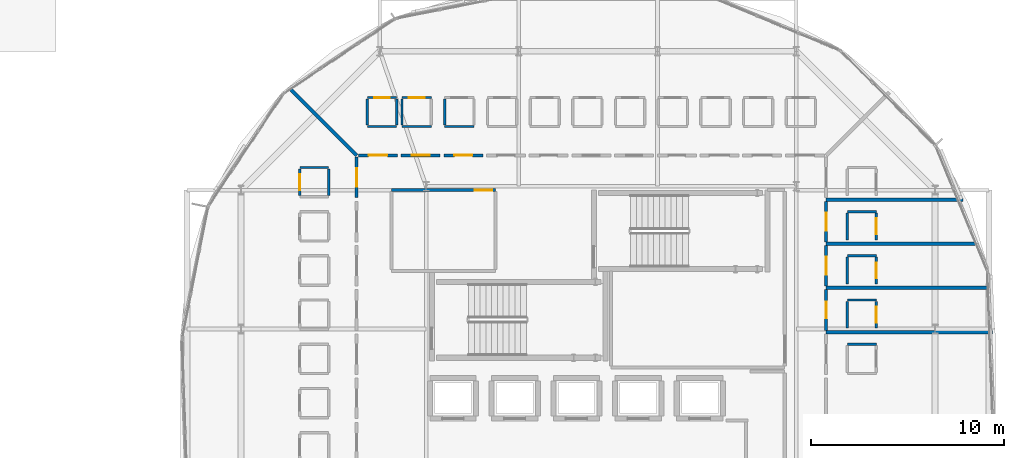
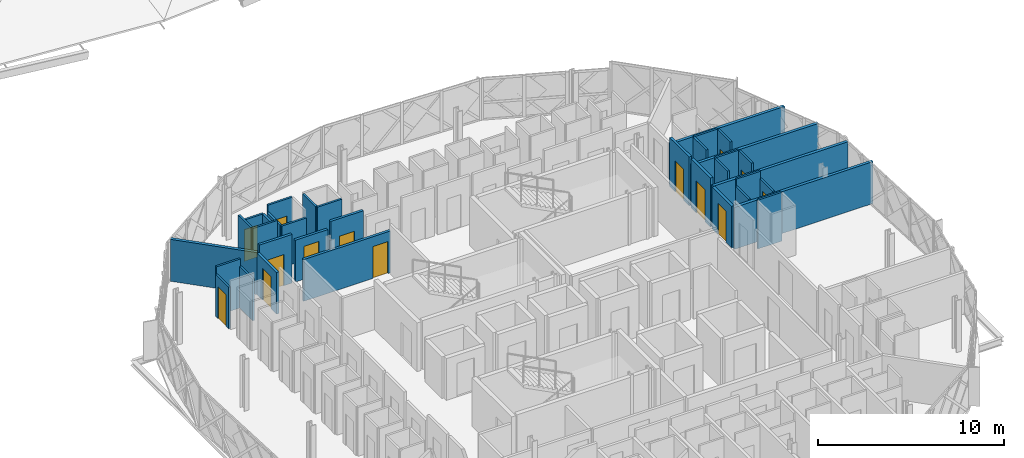
# One storey, part 33 of 40: 35 walls, 14 doors, 14 openings.
"""IFC4 building model written with IfcOpenShell, lengths in metres."""

from ifc_helpers import new_model, si_unit, direction, frame, frame_2d, origin, place, context, subcontext, project, spatial, rectangle, extrude, material, layer, layer_set, type_object, element, fill, save


model = new_model("IFC4")

# Units and contexts
model_context = context("Model", 3, precision=1e-05, world=origin(), true_north=direction((0.0, 1.0)))
body_context = subcontext(model_context, "Body", "Model", "MODEL_VIEW")
ifc_project = project(units=[si_unit("LENGTHUNIT", "METRE"), si_unit("AREAUNIT", "SQUARE_METRE"), si_unit("VOLUMEUNIT", "CUBIC_METRE"), si_unit("PLANEANGLEUNIT", "RADIAN"), si_unit("MASSUNIT", "GRAM", prefix="KILO")], contexts=[model_context])

# Site, building, storey
site_placement = place(None, origin())
site = spatial("IfcSite", under=ifc_project, at=site_placement, CompositionType="ELEMENT")
building_placement = place(site_placement, origin())
building = spatial("IfcBuilding", under=site, at=building_placement, Name="Zevrakil Square Congress Hotel", CompositionType="ELEMENT")
storey_placement = place(building_placement, frame((0.0, 0.0, 18.10009765625)))
storey = spatial("IfcBuildingStorey", under=building, at=storey_placement, Name="L05", CompositionType="ELEMENT", Elevation=18.10009765625)

# Wall, opening, door
ifc_material_1 = material(Name="Gypsum Acoustic Stud Partition")
ifc_layer_1 = layer(ifc_material_1, 0.159912109375)
ifc_layer_set_1 = layer_set([ifc_layer_1], Name="Gypsum Acoustic Stud Partition")
wall_type_1 = type_object("IfcWallType", Name="WAL-CORR-160", PredefinedType="PARTITIONING", material=ifc_layer_set_1)
wall_1_placement = place(storey_placement, frame((135.0, 38.39990234375, 0.0), z_axis=(0.0, 0.0, 1.0), x_axis=(1.0, 0.0, 0.0)))
wall_1 = element("IfcWall", 1, at=wall_1_placement, inside=storey, type_object=wall_type_1, Name="L05 interior partition PW-L05-0464", PredefinedType="PARTITIONING", context=body_context, shape_type="SweptSolid", body=[
    extrude(rectangle(XDim=5.39990234375, YDim=0.159912109375, at=frame_2d((2.699951171875, 0.0))), origin(), (0.0, 0.0, 1.0), 2.744873046875),
])
opening_1_placement = place(wall_1_placement, frame((4.320068359375, 0.0, 0.0)))
opening_1 = element("IfcOpeningElement", 2, at=opening_1_placement, cuts=wall_1, Name="Opening ID-07", PredefinedType="OPENING", context=body_context, shape_type="SweptSolid", body=[
    extrude(rectangle(XDim=0.919921875, YDim=2.10009765625, at=frame_2d((0.4599609375, 1.050048828125))), frame((0.0, 0.08984375, 0.0), z_axis=(0.0, -1.0, 0.0), x_axis=(1.0, 0.0, 0.0)), (0.0, 0.0, 1.0), 0.179931640625),
])
ifc_material_2 = material(Name="Accessible Restroom Door")
door_type_1 = type_object("IfcDoorType", Name="DOR-WC-092", OperationType="NOTDEFINED", PredefinedType="DOOR", material=ifc_material_2)
door_1_placement = place(opening_1_placement, origin())
door_1 = element("IfcDoor", 3, at=door_1_placement, inside=storey, type_object=door_type_1, Name="L05 interior door 188", OperationType="SINGLE_SWING_RIGHT", OverallHeight=2.10009765625, OverallWidth=0.919921875, PredefinedType="DOOR", context=body_context, shape_type="SweptSolid", body=[
    extrude(rectangle(XDim=0.919921875, YDim=2.10009765625, at=frame_2d((0.4599609375, 1.050048828125))), frame((0.0, 0.02490234375, 0.0), z_axis=(0.0, -1.0, 0.0), x_axis=(1.0, 0.0, 0.0)), (0.0, 0.0, 1.0), 0.050048828125),
])
fill(opening_1, door_1)

wall_2_placement = place(storey_placement, frame((157.550048828125, 31.13134765625, 0.0), z_axis=(0.0, 0.0, 1.0), x_axis=(0.0, 1.0, 0.0)))
wall_2 = element("IfcWall", 4, at=wall_2_placement, inside=storey, type_object=wall_type_1, Name="L05 interior partition PW-L05-0556", PredefinedType="PARTITIONING", context=body_context, shape_type="SweptSolid", body=[
    extrude(rectangle(XDim=2.10107421875, YDim=0.159912109375, at=frame_2d((1.050537109375, 0.0))), origin(), (0.0, 0.0, 1.0), 2.744873046875),
])
opening_2_placement = place(wall_2_placement, frame((0.610595703125, 0.0, 0.0)))
opening_2 = element("IfcOpeningElement", 5, at=opening_2_placement, cuts=wall_2, Name="Opening ID-G02", PredefinedType="OPENING", context=body_context, shape_type="SweptSolid", body=[
    extrude(rectangle(XDim=0.8798828125, YDim=2.050048828125, at=frame_2d((0.43994140625, 1.02490234375))), frame((0.0, 0.08984375, 0.0), z_axis=(0.0, -1.0, 0.0), x_axis=(1.0, 0.0, 0.0)), (0.0, 0.0, 1.0), 0.179931640625),
])
ifc_material_3 = material(Name="Acoustic Timber Fire Door", Category="wood")
door_type_2 = type_object("IfcDoorType", Name="DOR-INT-G02", OperationType="NOTDEFINED", PredefinedType="DOOR", material=ifc_material_3)
door_2_placement = place(opening_2_placement, origin())
door_2 = element("IfcDoor", 6, at=door_2_placement, inside=storey, type_object=door_type_2, Name="L05 interior door 222", OperationType="SINGLE_SWING_RIGHT", OverallHeight=2.050048828125, OverallWidth=0.8798828125, PredefinedType="DOOR", context=body_context, shape_type="SweptSolid", body=[
    extrude(rectangle(XDim=0.8798828125, YDim=2.050048828125, at=frame_2d((0.43994140625, 1.02490234375))), frame((0.0, 0.02490234375, 0.0), z_axis=(0.0, -1.0, 0.0), x_axis=(1.0, 0.0, 0.0)), (0.0, 0.0, 1.0), 0.050048828125),
])
fill(opening_2, door_2)

wall_3_placement = place(storey_placement, frame((157.550048828125, 33.42236328125, 0.0), z_axis=(0.0, 0.0, 1.0), x_axis=(0.0, 1.0, 0.0)))
wall_3 = element("IfcWall", 7, at=wall_3_placement, inside=storey, type_object=wall_type_1, Name="L05 interior partition PW-L05-0561", PredefinedType="PARTITIONING", context=body_context, shape_type="SweptSolid", body=[
    extrude(rectangle(XDim=2.100830078125, YDim=0.159912109375, at=frame_2d((1.05029296875, 0.0))), origin(), (0.0, 0.0, 1.0), 3.2099609375),
])
opening_3_placement = place(wall_3_placement, frame((0.576416015625, 0.0, 0.0)))
opening_3 = element("IfcOpeningElement", 8, at=opening_3_placement, cuts=wall_3, Name="Opening ID-H09", PredefinedType="OPENING", context=body_context, shape_type="SweptSolid", body=[
    extrude(rectangle(XDim=0.947998046875, YDim=2.10009765625, at=frame_2d((0.47412109375, 1.050048828125))), frame((0.0, 0.08984375, 0.0), z_axis=(0.0, -1.0, 0.0), x_axis=(1.0, 0.0, 0.0)), (0.0, 0.0, 1.0), 0.179931640625),
])
ifc_material_4 = material(Name="Acoustic Timber Fire Door", Category="wood")
door_type_3 = type_object("IfcDoorType", Name="DOR-INT-H09", OperationType="NOTDEFINED", PredefinedType="DOOR", material=ifc_material_4)
door_3_placement = place(opening_3_placement, origin())
door_3 = element("IfcDoor", 9, at=door_3_placement, inside=storey, type_object=door_type_3, Name="L05 interior door 224", OperationType="SINGLE_SWING_RIGHT", OverallHeight=2.10009765625, OverallWidth=0.947998046875, PredefinedType="DOOR", context=body_context, shape_type="SweptSolid", body=[
    extrude(rectangle(XDim=0.947998046875, YDim=2.10009765625, at=frame_2d((0.47412109375, 1.050048828125))), frame((0.0, 0.02490234375, 0.0), z_axis=(0.0, -1.0, 0.0), x_axis=(1.0, 0.0, 0.0)), (0.0, 0.0, 1.0), 0.050048828125),
])
fill(opening_3, door_3)

wall_4_placement = place(storey_placement, frame((157.550048828125, 35.713134765625, 0.0), z_axis=(0.0, 0.0, 1.0), x_axis=(0.0, 1.0, 0.0)))
wall_4 = element("IfcWall", 10, at=wall_4_placement, inside=storey, type_object=wall_type_1, Name="L05 interior partition PW-L05-0566", PredefinedType="PARTITIONING", context=body_context, shape_type="SweptSolid", body=[
    extrude(rectangle(XDim=2.10107421875, YDim=0.159912109375, at=frame_2d((1.050537109375, 0.0))), origin(), (0.0, 0.0, 1.0), 3.2099609375),
])
opening_4_placement = place(wall_4_placement, frame((0.58544921875, 0.0, 0.0)))
opening_4 = element("IfcOpeningElement", 11, at=opening_4_placement, cuts=wall_4, Name="Opening ID-G04", PredefinedType="OPENING", context=body_context, shape_type="SweptSolid", body=[
    extrude(rectangle(XDim=0.929931640625, YDim=2.050048828125, at=frame_2d((0.46484375, 1.02490234375))), frame((0.0, 0.08984375, 0.0), z_axis=(0.0, -1.0, 0.0), x_axis=(1.0, 0.0, 0.0)), (0.0, 0.0, 1.0), 0.179931640625),
])
ifc_material_5 = material(Name="Acoustic Timber Fire Door", Category="wood")
door_type_4 = type_object("IfcDoorType", Name="DOR-INT-G04", OperationType="NOTDEFINED", PredefinedType="DOOR", material=ifc_material_5)
door_4_placement = place(opening_4_placement, origin())
door_4 = element("IfcDoor", 12, at=door_4_placement, inside=storey, type_object=door_type_4, Name="L05 interior door 226", OperationType="SINGLE_SWING_RIGHT", OverallHeight=2.050048828125, OverallWidth=0.929931640625, PredefinedType="DOOR", context=body_context, shape_type="SweptSolid", body=[
    extrude(rectangle(XDim=0.929931640625, YDim=2.050048828125, at=frame_2d((0.46484375, 1.02490234375))), frame((0.0, 0.02490234375, 0.0), z_axis=(0.0, -1.0, 0.0), x_axis=(1.0, 0.0, 0.0)), (0.0, 0.0, 1.0), 0.050048828125),
])
fill(opening_4, door_4)

wall_5_placement = place(storey_placement, frame((137.722412109375, 40.199951171875, 0.0), z_axis=(0.0, 0.0, 1.0), x_axis=(1.0, 0.0, 0.0)))
wall_5 = element("IfcWall", 13, at=wall_5_placement, inside=storey, type_object=wall_type_1, Name="L05 interior partition PW-L05-0616", PredefinedType="PARTITIONING", context=body_context, shape_type="SweptSolid", body=[
    extrude(rectangle(XDim=2.0234375, YDim=0.159912109375, at=frame_2d((1.01171875, 0.0))), origin(), (0.0, 0.0, 1.0), 3.2099609375),
])
opening_5_placement = place(wall_5_placement, frame((0.546875, 0.0, 0.0)))
opening_5 = element("IfcOpeningElement", 14, at=opening_5_placement, cuts=wall_5, Name="Opening ID-G04", PredefinedType="OPENING", context=body_context, shape_type="SweptSolid", body=[
    extrude(rectangle(XDim=0.929931640625, YDim=2.050048828125, at=frame_2d((0.46484375, 1.02490234375))), frame((0.0, 0.08984375, 0.0), z_axis=(0.0, -1.0, 0.0), x_axis=(1.0, 0.0, 0.0)), (0.0, 0.0, 1.0), 0.179931640625),
])
door_5_placement = place(opening_5_placement, origin())
door_5 = element("IfcDoor", 15, at=door_5_placement, inside=storey, type_object=door_type_4, Name="L05 interior door 246", OperationType="SINGLE_SWING_RIGHT", OverallHeight=2.050048828125, OverallWidth=0.929931640625, PredefinedType="DOOR", context=body_context, shape_type="SweptSolid", body=[
    extrude(rectangle(XDim=0.929931640625, YDim=2.050048828125, at=frame_2d((0.46484375, 1.02490234375))), frame((0.0, 0.02490234375, 0.0), z_axis=(0.0, -1.0, 0.0), x_axis=(1.0, 0.0, 0.0)), (0.0, 0.0, 1.0), 0.050048828125),
])
fill(opening_5, door_5)

wall_6_placement = place(storey_placement, frame((135.5087890625, 40.199951171875, 0.0), z_axis=(0.0, 0.0, 1.0), x_axis=(1.0, 0.0, 0.0)))
wall_6 = element("IfcWall", 16, at=wall_6_placement, inside=storey, type_object=wall_type_1, Name="L05 interior partition PW-L05-0621", PredefinedType="PARTITIONING", context=body_context, shape_type="SweptSolid", body=[
    extrude(rectangle(XDim=2.0234375, YDim=0.159912109375, at=frame_2d((1.01171875, 0.0))), origin(), (0.0, 0.0, 1.0), 2.744873046875),
])
opening_6_placement = place(wall_6_placement, frame((0.5498046875, 0.0, 0.0)))
opening_6 = element("IfcOpeningElement", 17, at=opening_6_placement, cuts=wall_6, Name="Opening ID-H07", PredefinedType="OPENING", context=body_context, shape_type="SweptSolid", body=[
    extrude(rectangle(XDim=0.924072265625, YDim=2.159912109375, at=frame_2d((0.4619140625, 1.080078125))), frame((0.0, 0.08984375, 0.0), z_axis=(0.0, -1.0, 0.0), x_axis=(1.0, 0.0, 0.0)), (0.0, 0.0, 1.0), 0.179931640625),
])
ifc_material_6 = material(Name="Acoustic Timber Fire Door", Category="wood")
door_type_5 = type_object("IfcDoorType", Name="DOR-INT-H07", OperationType="NOTDEFINED", PredefinedType="DOOR", material=ifc_material_6)
door_6_placement = place(opening_6_placement, origin())
door_6 = element("IfcDoor", 18, at=door_6_placement, inside=storey, type_object=door_type_5, Name="L05 interior door 248", OperationType="SINGLE_SWING_RIGHT", OverallHeight=2.159912109375, OverallWidth=0.924072265625, PredefinedType="DOOR", context=body_context, shape_type="SweptSolid", body=[
    extrude(rectangle(XDim=0.924072265625, YDim=2.159912109375, at=frame_2d((0.4619140625, 1.080078125))), frame((0.0, 0.02490234375, 0.0), z_axis=(0.0, -1.0, 0.0), x_axis=(1.0, 0.0, 0.0)), (0.0, 0.0, 1.0), 0.050048828125),
])
fill(opening_6, door_6)

wall_7_placement = place(storey_placement, frame((133.294921875, 40.199951171875, 0.0), z_axis=(0.0, 0.0, 1.0), x_axis=(1.0, 0.0, 0.0)))
wall_7 = element("IfcWall", 19, at=wall_7_placement, inside=storey, type_object=wall_type_1, Name="L05 interior partition PW-L05-0626", PredefinedType="PARTITIONING", context=body_context, shape_type="SweptSolid", body=[
    extrude(rectangle(XDim=2.023681640625, YDim=0.159912109375, at=frame_2d((1.01171875, 0.0))), origin(), (0.0, 0.0, 1.0), 3.2099609375),
])
opening_7_placement = place(wall_7_placement, frame((0.521728515625, 0.0, 0.0)))
opening_7 = element("IfcOpeningElement", 20, at=opening_7_placement, cuts=wall_7, Name="Opening ID-G06", PredefinedType="OPENING", context=body_context, shape_type="SweptSolid", body=[
    extrude(rectangle(XDim=0.97998046875, YDim=2.050048828125, at=frame_2d((0.489990234375, 1.02490234375))), frame((0.0, 0.08984375, 0.0), z_axis=(0.0, -1.0, 0.0), x_axis=(1.0, 0.0, 0.0)), (0.0, 0.0, 1.0), 0.179931640625),
])
ifc_material_7 = material(Name="Acoustic Timber Fire Door", Category="wood")
door_type_6 = type_object("IfcDoorType", Name="DOR-INT-G06", OperationType="NOTDEFINED", PredefinedType="DOOR", material=ifc_material_7)
door_7_placement = place(opening_7_placement, origin())
door_7 = element("IfcDoor", 21, at=door_7_placement, inside=storey, type_object=door_type_6, Name="L05 interior door 250", OperationType="SINGLE_SWING_RIGHT", OverallHeight=2.050048828125, OverallWidth=0.97998046875, PredefinedType="DOOR", context=body_context, shape_type="SweptSolid", body=[
    extrude(rectangle(XDim=0.97998046875, YDim=2.050048828125, at=frame_2d((0.489990234375, 1.02490234375))), frame((0.0, 0.02490234375, 0.0), z_axis=(0.0, -1.0, 0.0), x_axis=(1.0, 0.0, 0.0)), (0.0, 0.0, 1.0), 0.050048828125),
])
fill(opening_7, door_7)

wall_8_placement = place(storey_placement, frame((133.199951171875, 38.004150390625, 0.0), z_axis=(0.0, 0.0, 1.0), x_axis=(0.0, 1.0, 0.0)))
wall_8 = element("IfcWall", 22, at=wall_8_placement, inside=storey, type_object=wall_type_1, Name="L05 interior partition PW-L05-0632", PredefinedType="PARTITIONING", context=body_context, shape_type="SweptSolid", body=[
    extrude(rectangle(XDim=2.100830078125, YDim=0.159912109375, at=frame_2d((1.05029296875, 0.0))), origin(), (0.0, 0.0, 1.0), 2.744873046875),
])
opening_8_placement = place(wall_8_placement, frame((0.576416015625, 0.0, 0.0)))
opening_8 = element("IfcOpeningElement", 23, at=opening_8_placement, cuts=wall_8, Name="Opening ID-H09", PredefinedType="OPENING", context=body_context, shape_type="SweptSolid", body=[
    extrude(rectangle(XDim=0.947998046875, YDim=2.10009765625, at=frame_2d((0.47412109375, 1.050048828125))), frame((0.0, 0.08984375, 0.0), z_axis=(0.0, -1.0, 0.0), x_axis=(1.0, 0.0, 0.0)), (0.0, 0.0, 1.0), 0.179931640625),
])
door_8_placement = place(opening_8_placement, origin())
door_8 = element("IfcDoor", 24, at=door_8_placement, inside=storey, type_object=door_type_3, Name="L05 interior door 252", OperationType="SINGLE_SWING_RIGHT", OverallHeight=2.10009765625, OverallWidth=0.947998046875, PredefinedType="DOOR", context=body_context, shape_type="SweptSolid", body=[
    extrude(rectangle(XDim=0.947998046875, YDim=2.10009765625, at=frame_2d((0.47412109375, 1.050048828125))), frame((0.0, 0.02490234375, 0.0), z_axis=(0.0, -1.0, 0.0), x_axis=(1.0, 0.0, 0.0)), (0.0, 0.0, 1.0), 0.050048828125),
])
fill(opening_8, door_8)

# Walls
ifc_material_8 = material(Name="Moisture-Resistant Gypsum Partition")
ifc_layer_2 = layer(ifc_material_8, 0.1201171875)
ifc_layer_set_2 = layer_set([ifc_layer_2], Name="Moisture-Resistant Gypsum Partition")
wall_type_2 = type_object("IfcWallType", Name="WAL-ENS-120", PredefinedType="PARTITIONING", material=ifc_layer_set_2)
for number, where, z_axis, x_axis, name in (
    (25, (158.64990234375, 30.405517578125, 0.0), (0.0, 0.0, 1.0), (1.0, 0.0, 0.0), "L05 interior partition PW-L05-0552"),
    (26, (158.64990234375, 32.6962890625, 0.0), (0.0, 0.0, 1.0), (1.0, 0.0, 0.0), "L05 interior partition PW-L05-0557"),
):
    element("IfcWall", number, at=place(storey_placement, frame(where, z_axis=z_axis, x_axis=x_axis)), inside=storey, type_object=wall_type_2, Name=name, PredefinedType="PARTITIONING", context=body_context, shape_type="SweptSolid", body=[
        extrude(rectangle(XDim=1.5, YDim=0.1201171875, at=frame_2d((0.75, 0.0))), origin(), (0.0, 0.0, 1.0), 3.2099609375),
    ])
wall_9_placement = place(storey_placement, frame((158.64990234375, 31.241455078125, 0.0), z_axis=(0.0, 0.0, 1.0), x_axis=(0.0, 1.0, 0.0)))
element("IfcWall", 27, at=wall_9_placement, inside=storey, type_object=wall_type_2, Name="L05 interior partition PW-L05-0558", PredefinedType="PARTITIONING", context=body_context, shape_type="SweptSolid", body=[
    extrude(rectangle(XDim=1.389892578125, YDim=0.1201171875, at=frame_2d((0.69482421875, 0.0))), origin(), (0.0, 0.0, 1.0), 2.744873046875),
])

# Wall, opening, door
wall_10_placement = place(storey_placement, frame((160.14990234375, 31.241455078125, 0.0), z_axis=(0.0, 0.0, 1.0), x_axis=(0.0, 1.0, 0.0)))
wall_10 = element("IfcWall", 28, at=wall_10_placement, inside=storey, type_object=wall_type_2, Name="L05 interior partition PW-L05-0559", PredefinedType="PARTITIONING", context=body_context, shape_type="SweptSolid", body=[
    extrude(rectangle(XDim=1.389892578125, YDim=0.1201171875, at=frame_2d((0.69482421875, 0.0))), origin(), (0.0, 0.0, 1.0), 2.744873046875),
])
opening_9_placement = place(wall_10_placement, frame((0.284912109375, 0.0, 0.0)))
opening_9 = element("IfcOpeningElement", 29, at=opening_9_placement, cuts=wall_10, Name="Opening ID-11", PredefinedType="OPENING", context=body_context, shape_type="SweptSolid", body=[
    extrude(rectangle(XDim=0.820068359375, YDim=2.080078125, at=frame_2d((0.41015625, 1.0400390625))), frame((0.0, 0.070068359375, 0.0), z_axis=(0.0, -1.0, 0.0), x_axis=(1.0, 0.0, 0.0)), (0.0, 0.0, 1.0), 0.14013671875),
])
ifc_material_9 = material(Name="Acoustic Timber Door", Category="wood")
door_type_7 = type_object("IfcDoorType", Name="DOR-INT-V01", OperationType="NOTDEFINED", PredefinedType="DOOR", material=ifc_material_9)
door_9_placement = place(opening_9_placement, origin())
door_9 = element("IfcDoor", 30, at=door_9_placement, inside=storey, type_object=door_type_7, Name="L05 interior door 223", OperationType="SINGLE_SWING_LEFT", OverallHeight=2.080078125, OverallWidth=0.820068359375, PredefinedType="DOOR", context=body_context, shape_type="SweptSolid", body=[
    extrude(rectangle(XDim=0.820068359375, YDim=2.080078125, at=frame_2d((0.41015625, 1.0400390625))), frame((0.0, 0.02490234375, 0.0), z_axis=(0.0, -1.0, 0.0), x_axis=(1.0, 0.0, 0.0)), (0.0, 0.0, 1.0), 0.050048828125),
])
fill(opening_9, door_9)

# Walls
wall_11_placement = place(storey_placement, frame((158.64990234375, 34.9873046875, 0.0), z_axis=(0.0, 0.0, 1.0), x_axis=(1.0, 0.0, 0.0)))
element("IfcWall", 31, at=wall_11_placement, inside=storey, type_object=wall_type_2, Name="L05 interior partition PW-L05-0562", PredefinedType="PARTITIONING", context=body_context, shape_type="SweptSolid", body=[
    extrude(rectangle(XDim=1.5, YDim=0.1201171875, at=frame_2d((0.75, 0.0))), origin(), (0.0, 0.0, 1.0), 3.2099609375),
])
wall_12_placement = place(storey_placement, frame((158.64990234375, 33.5322265625, 0.0), z_axis=(0.0, 0.0, 1.0), x_axis=(0.0, 1.0, 0.0)))
element("IfcWall", 32, at=wall_12_placement, inside=storey, type_object=wall_type_2, Name="L05 interior partition PW-L05-0563", PredefinedType="PARTITIONING", context=body_context, shape_type="SweptSolid", body=[
    extrude(rectangle(XDim=1.39013671875, YDim=0.1201171875, at=frame_2d((0.695068359375, 0.0))), origin(), (0.0, 0.0, 1.0), 3.2099609375),
])

# Wall, opening, door
wall_13_placement = place(storey_placement, frame((160.14990234375, 33.5322265625, 0.0), z_axis=(0.0, 0.0, 1.0), x_axis=(0.0, 1.0, 0.0)))
wall_13 = element("IfcWall", 33, at=wall_13_placement, inside=storey, type_object=wall_type_2, Name="L05 interior partition PW-L05-0564", PredefinedType="PARTITIONING", context=body_context, shape_type="SweptSolid", body=[
    extrude(rectangle(XDim=1.39013671875, YDim=0.1201171875, at=frame_2d((0.695068359375, 0.0))), origin(), (0.0, 0.0, 1.0), 3.2099609375),
])
opening_10_placement = place(wall_13_placement, frame((0.284912109375, 0.0, 0.0)))
opening_10 = element("IfcOpeningElement", 34, at=opening_10_placement, cuts=wall_13, Name="Opening ID-11", PredefinedType="OPENING", context=body_context, shape_type="SweptSolid", body=[
    extrude(rectangle(XDim=0.820068359375, YDim=2.080078125, at=frame_2d((0.41015625, 1.0400390625))), frame((0.0, 0.070068359375, 0.0), z_axis=(0.0, -1.0, 0.0), x_axis=(1.0, 0.0, 0.0)), (0.0, 0.0, 1.0), 0.14013671875),
])
door_10_placement = place(opening_10_placement, origin())
door_10 = element("IfcDoor", 35, at=door_10_placement, inside=storey, type_object=door_type_7, Name="L05 interior door 225", OperationType="SINGLE_SWING_LEFT", OverallHeight=2.080078125, OverallWidth=0.820068359375, PredefinedType="DOOR", context=body_context, shape_type="SweptSolid", body=[
    extrude(rectangle(XDim=0.820068359375, YDim=2.080078125, at=frame_2d((0.41015625, 1.0400390625))), frame((0.0, 0.02490234375, 0.0), z_axis=(0.0, -1.0, 0.0), x_axis=(1.0, 0.0, 0.0)), (0.0, 0.0, 1.0), 0.050048828125),
])
fill(opening_10, door_10)

# Walls
wall_14_placement = place(storey_placement, frame((158.64990234375, 37.2783203125, 0.0), z_axis=(0.0, 0.0, 1.0), x_axis=(1.0, 0.0, 0.0)))
element("IfcWall", 36, at=wall_14_placement, inside=storey, type_object=wall_type_2, Name="L05 interior partition PW-L05-0567", PredefinedType="PARTITIONING", context=body_context, shape_type="SweptSolid", body=[
    extrude(rectangle(XDim=1.5, YDim=0.1201171875, at=frame_2d((0.75, 0.0))), origin(), (0.0, 0.0, 1.0), 3.2099609375),
])
wall_15_placement = place(storey_placement, frame((158.64990234375, 35.8232421875, 0.0), z_axis=(0.0, 0.0, 1.0), x_axis=(0.0, 1.0, 0.0)))
element("IfcWall", 37, at=wall_15_placement, inside=storey, type_object=wall_type_2, Name="L05 interior partition PW-L05-0568", PredefinedType="PARTITIONING", context=body_context, shape_type="SweptSolid", body=[
    extrude(rectangle(XDim=1.389892578125, YDim=0.1201171875, at=frame_2d((0.69482421875, 0.0))), origin(), (0.0, 0.0, 1.0), 3.2099609375),
])

# Wall, opening, door
wall_16_placement = place(storey_placement, frame((160.14990234375, 35.8232421875, 0.0), z_axis=(0.0, 0.0, 1.0), x_axis=(0.0, 1.0, 0.0)))
wall_16 = element("IfcWall", 38, at=wall_16_placement, inside=storey, type_object=wall_type_2, Name="L05 interior partition PW-L05-0569", PredefinedType="PARTITIONING", context=body_context, shape_type="SweptSolid", body=[
    extrude(rectangle(XDim=1.389892578125, YDim=0.1201171875, at=frame_2d((0.69482421875, 0.0))), origin(), (0.0, 0.0, 1.0), 3.2099609375),
])
opening_11_placement = place(wall_16_placement, frame((0.284912109375, 0.0, 0.0)))
opening_11 = element("IfcOpeningElement", 39, at=opening_11_placement, cuts=wall_16, Name="Opening ID-11", PredefinedType="OPENING", context=body_context, shape_type="SweptSolid", body=[
    extrude(rectangle(XDim=0.820068359375, YDim=2.080078125, at=frame_2d((0.41015625, 1.0400390625))), frame((0.0, 0.070068359375, 0.0), z_axis=(0.0, -1.0, 0.0), x_axis=(1.0, 0.0, 0.0)), (0.0, 0.0, 1.0), 0.14013671875),
])
door_11_placement = place(opening_11_placement, origin())
door_11 = element("IfcDoor", 40, at=door_11_placement, inside=storey, type_object=door_type_7, Name="L05 interior door 227", OperationType="SINGLE_SWING_LEFT", OverallHeight=2.080078125, OverallWidth=0.820068359375, PredefinedType="DOOR", context=body_context, shape_type="SweptSolid", body=[
    extrude(rectangle(XDim=0.820068359375, YDim=2.080078125, at=frame_2d((0.41015625, 1.0400390625))), frame((0.0, 0.02490234375, 0.0), z_axis=(0.0, -1.0, 0.0), x_axis=(1.0, 0.0, 0.0)), (0.0, 0.0, 1.0), 0.050048828125),
])
fill(opening_11, door_11)

# Walls
wall_17_placement = place(storey_placement, frame((137.767333984375, 41.699951171875, 0.0), z_axis=(0.0, 0.0, 1.0), x_axis=(1.0, 0.0, 0.0)))
element("IfcWall", 41, at=wall_17_placement, inside=storey, type_object=wall_type_2, Name="L05 interior partition PW-L05-0617", PredefinedType="PARTITIONING", context=body_context, shape_type="SweptSolid", body=[
    extrude(rectangle(XDim=1.52001953125, YDim=0.1201171875, at=frame_2d((0.760009765625, 0.0))), origin(), (0.0, 0.0, 1.0), 3.2099609375),
])
wall_18_placement = place(storey_placement, frame((137.767333984375, 41.764892578125, 0.0), z_axis=(0.0, 0.0, 1.0), x_axis=(0.0, 1.0, 0.0)))
element("IfcWall", 42, at=wall_18_placement, inside=storey, type_object=wall_type_2, Name="L05 interior partition PW-L05-0619", PredefinedType="PARTITIONING", context=body_context, shape_type="SweptSolid", body=[
    extrude(rectangle(XDim=1.3701171875, YDim=0.1201171875, at=frame_2d((0.68505859375, 0.0))), origin(), (0.0, 0.0, 1.0), 3.2099609375),
])
wall_19_placement = place(storey_placement, frame((135.5537109375, 41.699951171875, 0.0), z_axis=(0.0, 0.0, 1.0), x_axis=(1.0, 0.0, 0.0)))
element("IfcWall", 43, at=wall_19_placement, inside=storey, type_object=wall_type_2, Name="L05 interior partition PW-L05-0622", PredefinedType="PARTITIONING", context=body_context, shape_type="SweptSolid", body=[
    extrude(rectangle(XDim=1.52001953125, YDim=0.1201171875, at=frame_2d((0.760009765625, 0.0))), origin(), (0.0, 0.0, 1.0), 2.744873046875),
])

# Wall, opening, door
wall_20_placement = place(storey_placement, frame((135.5537109375, 43.199951171875, 0.0), z_axis=(0.0, 0.0, 1.0), x_axis=(1.0, 0.0, 0.0)))
wall_20 = element("IfcWall", 44, at=wall_20_placement, inside=storey, type_object=wall_type_2, Name="L05 interior partition PW-L05-0623", PredefinedType="PARTITIONING", context=body_context, shape_type="SweptSolid", body=[
    extrude(rectangle(XDim=1.52001953125, YDim=0.1201171875, at=frame_2d((0.760009765625, 0.0))), origin(), (0.0, 0.0, 1.0), 3.2099609375),
])
opening_12_placement = place(wall_20_placement, frame((0.35009765625, 0.0, 0.0)))
opening_12 = element("IfcOpeningElement", 45, at=opening_12_placement, cuts=wall_20, Name="Opening ID-11", PredefinedType="OPENING", context=body_context, shape_type="SweptSolid", body=[
    extrude(rectangle(XDim=0.820068359375, YDim=2.080078125, at=frame_2d((0.41015625, 1.0400390625))), frame((0.0, 0.070068359375, 0.0), z_axis=(0.0, -1.0, 0.0), x_axis=(1.0, 0.0, 0.0)), (0.0, 0.0, 1.0), 0.14013671875),
])
door_12_placement = place(opening_12_placement, origin())
door_12 = element("IfcDoor", 46, at=door_12_placement, inside=storey, type_object=door_type_7, Name="L05 interior door 249", OperationType="SINGLE_SWING_LEFT", OverallHeight=2.080078125, OverallWidth=0.820068359375, PredefinedType="DOOR", context=body_context, shape_type="SweptSolid", body=[
    extrude(rectangle(XDim=0.820068359375, YDim=2.080078125, at=frame_2d((0.41015625, 1.0400390625))), frame((0.0, 0.02490234375, 0.0), z_axis=(0.0, -1.0, 0.0), x_axis=(1.0, 0.0, 0.0)), (0.0, 0.0, 1.0), 0.050048828125),
])
fill(opening_12, door_12)

# Walls
wall_21_placement = place(storey_placement, frame((135.5537109375, 41.764892578125, 0.0), z_axis=(0.0, 0.0, 1.0), x_axis=(0.0, 1.0, 0.0)))
element("IfcWall", 47, at=wall_21_placement, inside=storey, type_object=wall_type_2, Name="L05 interior partition PW-L05-0624", PredefinedType="PARTITIONING", context=body_context, shape_type="SweptSolid", body=[
    extrude(rectangle(XDim=1.3701171875, YDim=0.1201171875, at=frame_2d((0.68505859375, 0.0))), origin(), (0.0, 0.0, 1.0), 2.744873046875),
])
wall_22_placement = place(storey_placement, frame((133.753662109375, 41.699951171875, 0.0), z_axis=(0.0, 0.0, 1.0), x_axis=(1.0, 0.0, 0.0)))
element("IfcWall", 48, at=wall_22_placement, inside=storey, type_object=wall_type_2, Name="L05 interior partition PW-L05-0627", PredefinedType="PARTITIONING", context=body_context, shape_type="SweptSolid", body=[
    extrude(rectangle(XDim=1.52001953125, YDim=0.1201171875, at=frame_2d((0.760009765625, 0.0))), origin(), (0.0, 0.0, 1.0), 3.2099609375),
])

# Wall, opening, door
wall_23_placement = place(storey_placement, frame((133.753662109375, 43.199951171875, 0.0), z_axis=(0.0, 0.0, 1.0), x_axis=(1.0, 0.0, 0.0)))
wall_23 = element("IfcWall", 49, at=wall_23_placement, inside=storey, type_object=wall_type_2, Name="L05 interior partition PW-L05-0628", PredefinedType="PARTITIONING", context=body_context, shape_type="SweptSolid", body=[
    extrude(rectangle(XDim=1.52001953125, YDim=0.1201171875, at=frame_2d((0.760009765625, 0.0))), origin(), (0.0, 0.0, 1.0), 2.744873046875),
])
opening_13_placement = place(wall_23_placement, frame((0.35009765625, 0.0, 0.0)))
opening_13 = element("IfcOpeningElement", 50, at=opening_13_placement, cuts=wall_23, Name="Opening ID-11", PredefinedType="OPENING", context=body_context, shape_type="SweptSolid", body=[
    extrude(rectangle(XDim=0.820068359375, YDim=2.080078125, at=frame_2d((0.41015625, 1.0400390625))), frame((0.0, 0.070068359375, 0.0), z_axis=(0.0, -1.0, 0.0), x_axis=(1.0, 0.0, 0.0)), (0.0, 0.0, 1.0), 0.14013671875),
])
door_13_placement = place(opening_13_placement, origin())
door_13 = element("IfcDoor", 51, at=door_13_placement, inside=storey, type_object=door_type_7, Name="L05 interior door 251", OperationType="SINGLE_SWING_LEFT", OverallHeight=2.080078125, OverallWidth=0.820068359375, PredefinedType="DOOR", context=body_context, shape_type="SweptSolid", body=[
    extrude(rectangle(XDim=0.820068359375, YDim=2.080078125, at=frame_2d((0.41015625, 1.0400390625))), frame((0.0, 0.02490234375, 0.0), z_axis=(0.0, -1.0, 0.0), x_axis=(1.0, 0.0, 0.0)), (0.0, 0.0, 1.0), 0.050048828125),
])
fill(opening_13, door_13)

# Walls
wall_24_placement = place(storey_placement, frame((133.753662109375, 41.764892578125, 0.0), z_axis=(0.0, 0.0, 1.0), x_axis=(0.0, 1.0, 0.0)))
element("IfcWall", 52, at=wall_24_placement, inside=storey, type_object=wall_type_2, Name="L05 interior partition PW-L05-0629", PredefinedType="PARTITIONING", context=body_context, shape_type="SweptSolid", body=[
    extrude(rectangle(XDim=1.3701171875, YDim=0.1201171875, at=frame_2d((0.68505859375, 0.0))), origin(), (0.0, 0.0, 1.0), 3.2099609375),
])
wall_25_placement = place(storey_placement, frame((135.273681640625, 41.764892578125, 0.0), z_axis=(0.0, 0.0, 1.0), x_axis=(0.0, 1.0, 0.0)))
element("IfcWall", 53, at=wall_25_placement, inside=storey, type_object=wall_type_2, Name="L05 interior partition PW-L05-0630", PredefinedType="PARTITIONING", context=body_context, shape_type="SweptSolid", body=[
    extrude(rectangle(XDim=1.3701171875, YDim=0.1201171875, at=frame_2d((0.68505859375, 0.0))), origin(), (0.0, 0.0, 1.0), 2.744873046875),
])
wall_26_placement = place(storey_placement, frame((130.25, 39.569091796875, 0.0), z_axis=(0.0, 0.0, 1.0), x_axis=(1.0, 0.0, 0.0)))
element("IfcWall", 54, at=wall_26_placement, inside=storey, type_object=wall_type_2, Name="L05 interior partition PW-L05-0634", PredefinedType="PARTITIONING", context=body_context, shape_type="SweptSolid", body=[
    extrude(rectangle(XDim=1.5, YDim=0.1201171875, at=frame_2d((0.75, 0.0))), origin(), (0.0, 0.0, 1.0), 3.2099609375),
])

# Wall, opening, door
wall_27_placement = place(storey_placement, frame((130.25, 38.114013671875, 0.0), z_axis=(0.0, 0.0, 1.0), x_axis=(0.0, 1.0, 0.0)))
wall_27 = element("IfcWall", 55, at=wall_27_placement, inside=storey, type_object=wall_type_2, Name="L05 interior partition PW-L05-0635", PredefinedType="PARTITIONING", context=body_context, shape_type="SweptSolid", body=[
    extrude(rectangle(XDim=1.39013671875, YDim=0.1201171875, at=frame_2d((0.695068359375, 0.0))), origin(), (0.0, 0.0, 1.0), 2.744873046875),
])
opening_14_placement = place(wall_27_placement, frame((0.284912109375, 0.0, 0.0)))
opening_14 = element("IfcOpeningElement", 56, at=opening_14_placement, cuts=wall_27, Name="Opening ID-11", PredefinedType="OPENING", context=body_context, shape_type="SweptSolid", body=[
    extrude(rectangle(XDim=0.820068359375, YDim=2.080078125, at=frame_2d((0.41015625, 1.0400390625))), frame((0.0, 0.070068359375, 0.0), z_axis=(0.0, -1.0, 0.0), x_axis=(1.0, 0.0, 0.0)), (0.0, 0.0, 1.0), 0.14013671875),
])
door_14_placement = place(opening_14_placement, origin())
door_14 = element("IfcDoor", 57, at=door_14_placement, inside=storey, type_object=door_type_7, Name="L05 interior door 253", OperationType="SINGLE_SWING_LEFT", OverallHeight=2.080078125, OverallWidth=0.820068359375, PredefinedType="DOOR", context=body_context, shape_type="SweptSolid", body=[
    extrude(rectangle(XDim=0.820068359375, YDim=2.080078125, at=frame_2d((0.41015625, 1.0400390625))), frame((0.0, 0.02490234375, 0.0), z_axis=(0.0, -1.0, 0.0), x_axis=(1.0, 0.0, 0.0)), (0.0, 0.0, 1.0), 0.050048828125),
])
fill(opening_14, door_14)

# Walls
wall_28_placement = place(storey_placement, frame((131.75, 38.114013671875, 0.0), z_axis=(0.0, 0.0, 1.0), x_axis=(0.0, 1.0, 0.0)))
element("IfcWall", 58, at=wall_28_placement, inside=storey, type_object=wall_type_2, Name="L05 interior partition PW-L05-0636", PredefinedType="PARTITIONING", context=body_context, shape_type="SweptSolid", body=[
    extrude(rectangle(XDim=1.39013671875, YDim=0.1201171875, at=frame_2d((0.695068359375, 0.0))), origin(), (0.0, 0.0, 1.0), 2.744873046875),
])
ifc_material_10 = material(Name="Gypsum Twin-Stud Party Partition")
ifc_layer_3 = layer(ifc_material_10, 0.179931640625)
ifc_layer_set_3 = layer_set([ifc_layer_3], Name="Gypsum Twin-Stud Party Partition")
wall_type_3 = type_object("IfcWallType", Name="WAL-PARTY-180", PredefinedType="PARTITIONING", material=ifc_layer_set_3)
wall_29_placement = place(storey_placement, frame((157.550048828125, 31.036376953125, 0.0), z_axis=(0.0, 0.0, 1.0), x_axis=(1.0, 0.0, 0.0)))
element("IfcWall", 59, at=wall_29_placement, inside=storey, type_object=wall_type_3, Name="L05 interior partition PW-L05-0555", PredefinedType="PARTITIONING", context=body_context, shape_type="SweptSolid", body=[
    extrude(rectangle(XDim=8.61669921875, YDim=0.179931640625, at=frame_2d((4.308349609375, 0.0))), origin(), (0.0, 0.0, 1.0), 2.7548828125),
])
wall_30_placement = place(storey_placement, frame((157.550048828125, 33.327392578125, 0.0), z_axis=(0.0, 0.0, 1.0), x_axis=(1.0, 0.0, 0.0)))
element("IfcWall", 60, at=wall_30_placement, inside=storey, type_object=wall_type_3, Name="L05 interior partition PW-L05-0560", PredefinedType="PARTITIONING", context=body_context, shape_type="SweptSolid", body=[
    extrude(rectangle(XDim=8.390869140625, YDim=0.179931640625, at=frame_2d((4.1953125, 0.0))), origin(), (0.0, 0.0, 1.0), 2.7548828125),
])
wall_31_placement = place(storey_placement, frame((157.550048828125, 35.6181640625, 0.0), z_axis=(0.0, 0.0, 1.0), x_axis=(1.0, 0.0, 0.0)))
element("IfcWall", 61, at=wall_31_placement, inside=storey, type_object=wall_type_3, Name="L05 interior partition PW-L05-0565", PredefinedType="PARTITIONING", context=body_context, shape_type="SweptSolid", body=[
    extrude(rectangle(XDim=7.86865234375, YDim=0.179931640625, at=frame_2d((3.934326171875, 0.0))), origin(), (0.0, 0.0, 1.0), 2.7548828125),
])
wall_32_placement = place(storey_placement, frame((157.550048828125, 37.9091796875, 0.0), z_axis=(0.0, 0.0, 1.0), x_axis=(1.0, 0.0, 0.0)))
element("IfcWall", 62, at=wall_32_placement, inside=storey, type_object=wall_type_3, Name="L05 interior partition PW-L05-0570", PredefinedType="PARTITIONING", context=body_context, shape_type="SweptSolid", body=[
    extrude(rectangle(XDim=7.087158203125, YDim=0.179931640625, at=frame_2d((3.54345703125, 0.0))), origin(), (0.0, 0.0, 1.0), 2.7548828125),
])
wall_33_placement = place(storey_placement, frame((133.199951171875, 40.199951171875, 0.0), z_axis=(0.0, 0.0, 1.0), x_axis=(-0.707106781187, 0.707106781187, 0.0)))
element("IfcWall", 63, at=wall_33_placement, inside=storey, type_object=wall_type_3, Name="L05 interior partition PW-L05-0631", PredefinedType="PARTITIONING", context=body_context, shape_type="SweptSolid", body=[
    extrude(rectangle(XDim=4.838623046875, YDim=0.179931640625, at=frame_2d((2.41943359375, 0.0))), origin(), (0.0, 0.0, 1.0), 2.7548828125),
])

save(model, "model.ifc")
